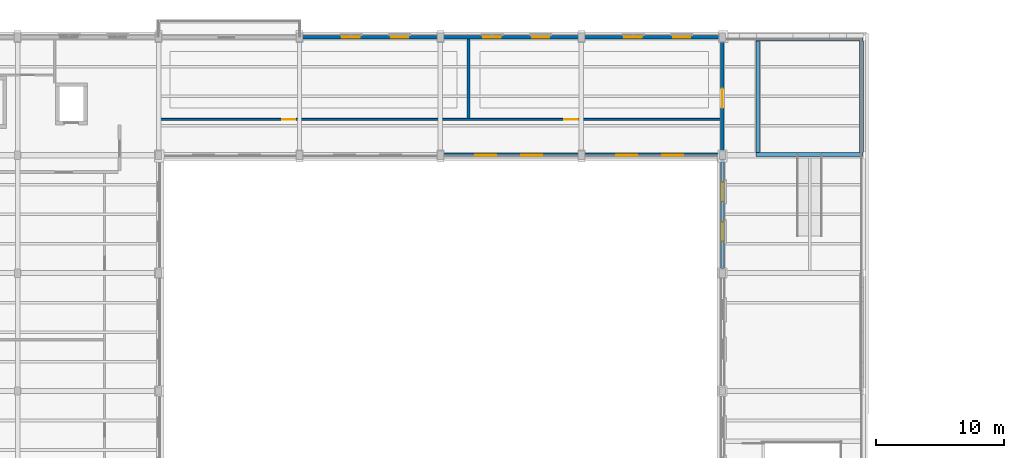
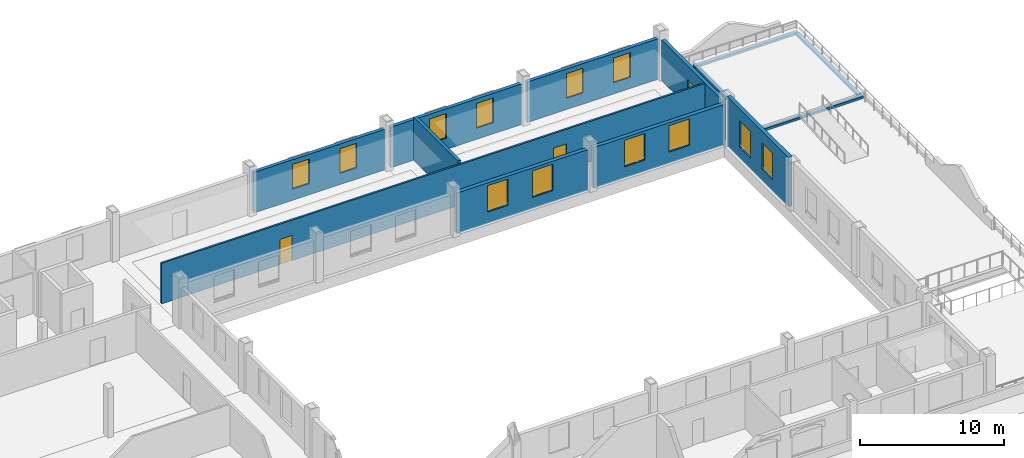
# One storey, part 27 of 43: 13 walls, 12 windows, 3 doors, 15 openings.
"""IFC4 building model written with IfcOpenShell, lengths in metres."""

import ifcopenshell
import ifcopenshell.guid

model = None  # the IFC model being written
_history = None  # IfcOwnerHistory: only IFC2X3 demands one
_inside = {}  # id of a spatial element -> (the spatial element, [elements in it])
_under = {}  # id of a project, library or spatial element -> (it, [spatial elements below it])
_declared = {}  # id of a project -> (the project, [libraries it declares])
_typed = {}  # id of a type object -> (the type object, [elements of that type])
_made_of = {}  # id of a material, layer set ... -> (it, [elements and type objects made of it])


def new_model(schema):
    """Start an empty IFC model of exactly this schema.

    Asked for "IFC4X3", IfcOpenShell would pick the latest addendum, in which some entities
    have other attributes; the version numbers below select the first issue.
    IFC2X3 requires an IfcOwnerHistory on every rooted entity: one is made here for all.
    """
    global model, _history
    if schema == "IFC4X3":
        model = ifcopenshell.file(schema_version=(4, 3, 0, 0))
    else:
        model = ifcopenshell.file(schema=schema)
    _inside.clear()
    _under.clear()
    _declared.clear()
    _typed.clear()
    _made_of.clear()
    _history = None
    if model.schema == "IFC2X3":
        org = make("IfcOrganization", Name="unknown")
        user = make(
            "IfcPersonAndOrganization",
            ThePerson=make("IfcPerson", FamilyName="unknown"),
            TheOrganization=org,
        )
        app = make(
            "IfcApplication",
            ApplicationDeveloper=org,
            Version="unknown",
            ApplicationFullName="unknown",
            ApplicationIdentifier="unknown",
        )
        _history = make(
            "IfcOwnerHistory",
            OwningUser=user,
            OwningApplication=app,
            ChangeAction="ADDED",
            CreationDate=0,
        )
    return model


def make(cls, **values):
    """One entity of the class cls with the attributes given. An attribute that is None is left unset."""
    return model.create_entity(
        cls, **{name: value for name, value in values.items() if value is not None}
    )


def rooted(cls, **values):
    """An entity with a GlobalId (a new one), such as an element, a storey or a relation."""
    return make(cls, GlobalId=ifcopenshell.guid.new(), OwnerHistory=_history, **values)


def si_unit(unit_type, name, prefix=None):
    """IfcSIUnit, for example si_unit("LENGTHUNIT", "METRE", prefix="MILLI")."""
    return make("IfcSIUnit", UnitType=unit_type, Prefix=prefix, Name=name)


def assignment(units):
    """IfcUnitAssignment: the units of a project."""
    return None if units is None else make("IfcUnitAssignment", Units=units)


def point(xyz):
    """IfcCartesianPoint."""
    return None if xyz is None else make("IfcCartesianPoint", Coordinates=xyz)


def direction(xyz):
    """IfcDirection."""
    return None if xyz is None else make("IfcDirection", DirectionRatios=xyz)


def frame(location, z_axis=None, x_axis=None):
    """IfcAxis2Placement3D, a coordinate frame: its origin and axes. An axis left out is left unset."""
    return make(
        "IfcAxis2Placement3D",
        Location=point(location),
        Axis=direction(z_axis),
        RefDirection=direction(x_axis),
    )


def frame_2d(location, x_axis=None):
    """IfcAxis2Placement2D, a coordinate frame in the plane: its origin and x axis."""
    return make(
        "IfcAxis2Placement2D", Location=point(location), RefDirection=direction(x_axis)
    )


def origin():
    """The frame at (0, 0, 0) with its axes left unset."""
    return frame((0.0, 0.0, 0.0))


def place(relative_to, where):
    """IfcLocalPlacement: puts the frame where relative to a parent placement (None: the world)."""
    return make(
        "IfcLocalPlacement", PlacementRelTo=relative_to, RelativePlacement=where
    )


def context(
    kind, dimensions, precision=None, world=None, true_north=None, identifier=None
):
    """IfcGeometricRepresentationContext, for example the 3D "Model" context."""
    return make(
        "IfcGeometricRepresentationContext",
        ContextIdentifier=identifier,
        ContextType=kind,
        CoordinateSpaceDimension=dimensions,
        Precision=precision,
        WorldCoordinateSystem=world,
        TrueNorth=true_north,
    )


def subcontext(parent, identifier, kind, view, scale=None):
    """IfcGeometricRepresentationSubContext, for example "Body" below "Model"."""
    return make(
        "IfcGeometricRepresentationSubContext",
        ContextIdentifier=identifier,
        ContextType=kind,
        ParentContext=parent,
        TargetScale=scale,
        TargetView=view,
    )


def project(units=None, contexts=None):
    """IfcProject with its units and contexts."""
    return rooted(
        "IfcProject",
        Name="project",
        RepresentationContexts=contexts,
        UnitsInContext=assignment(units),
    )


def spatial(cls, under=None, at=None, **own):
    """A site, building, storey or space (cls), placed at a placement, below another one or the project."""
    s = rooted(cls, ObjectPlacement=at, **own)
    if under is not None:
        _under.setdefault(under.id(), (under, []))[1].append(s)
    return s


def profile(cls, at=None, kind="AREA", **sizes):
    """A parametric profile (cls). Its sizes go by their IFC names, for example OverallWidth=200.0."""
    return make(cls, ProfileType=kind, Position=at, **sizes)


def rectangle(**sizes):
    """IfcRectangleProfileDef."""
    return profile("IfcRectangleProfileDef", **sizes)


def extrude(swept, where, along, depth):
    """IfcExtrudedAreaSolid: the profile swept, set in the frame where, extruded along a direction by depth."""
    return make(
        "IfcExtrudedAreaSolid",
        SweptArea=swept,
        Position=where,
        ExtrudedDirection=direction(along),
        Depth=depth,
    )


def shape(context_of_items, identifier, shape_type, items):
    """IfcShapeRepresentation: the items that make up one representation, for example the "Body"."""
    return make(
        "IfcShapeRepresentation",
        ContextOfItems=context_of_items,
        RepresentationIdentifier=identifier,
        RepresentationType=shape_type,
        Items=items,
    )


def material(Name=None, Category=None):
    """IfcMaterial."""
    return make("IfcMaterial", Name=Name, Category=Category)


def layer(
    of_material, thickness, ventilated=None, Name=None, Category=None, Priority=None
):
    """IfcMaterialLayer: one layer of a wall or slab, of a material (None: an air gap)."""
    return make(
        "IfcMaterialLayer",
        Material=of_material,
        LayerThickness=thickness,
        IsVentilated=ventilated,
        Name=Name,
        Category=Category,
        Priority=Priority,
    )


def layer_set(layers, Name=None):
    """IfcMaterialLayerSet."""
    return make("IfcMaterialLayerSet", MaterialLayers=layers, LayerSetName=Name)


def made_of(thing, what):
    """Note that an element or type object is made of a material, layer set ...; save() writes the relation."""
    if what is not None:
        _made_of.setdefault(what.id(), (what, []))[1].append(thing)
    return thing


def type_object(cls, material=None, **own):
    """A type object (cls), such as IfcWallType, which elements share."""
    return made_of(rooted(cls, **own), material)


def element(
    cls,
    number,
    at=None,
    inside=None,
    cuts=None,
    type_object=None,
    material=None,
    context=None,
    identifier="Body",
    shape_type=None,
    held_by="IfcProductDefinitionShape",
    body=None,
    shapes=None,
    **own,
):
    """One element of the class cls, such as IfcWall. Its Tag is "e" and its number.

    at: its placement. inside: the storey or other place that contains it. cuts: it is an
    opening in that element (IfcRelVoidsElement). A single representation is given by context,
    identifier, shape_type and body (its items); several are given by shapes. held_by: the class
    of the entity that holds the representations. save() writes the other relations.
    """
    e = rooted(cls, Tag="e%d" % number, ObjectPlacement=at, **own)
    if body is not None:
        shapes = [shape(context, identifier, shape_type, body)]
    if shapes is not None:
        e.Representation = make(held_by, Representations=shapes)
    if inside is not None:
        _inside.setdefault(inside.id(), (inside, []))[1].append(e)
    if cuts is not None:
        rooted(
            "IfcRelVoidsElement", RelatingBuildingElement=cuts, RelatedOpeningElement=e
        )
    if type_object is not None:
        _typed.setdefault(type_object.id(), (type_object, []))[1].append(e)
    return made_of(e, material)


def fill(opening, filler):
    """IfcRelFillsElement: the door or window that sits in an opening."""
    return rooted(
        "IfcRelFillsElement",
        RelatingOpeningElement=opening,
        RelatedBuildingElement=filler,
    )


def aggregate(whole, parts):
    """IfcRelAggregates: a whole, such as a stair, and the parts it consists of."""
    return rooted("IfcRelAggregates", RelatingObject=whole, RelatedObjects=parts)


def save(model, path):
    """Write the relations noted so far, then the file.

    IfcRelAggregates (storeys below a building ...), IfcRelContainedInSpatialStructure (elements
    in a storey), IfcRelDefinesByType, IfcRelAssociatesMaterial and IfcRelDeclares: one each for
    every whole, place, type object, material and project.
    """
    for whole, parts in _under.values():
        aggregate(whole, parts)
    for where, things in _inside.values():
        rooted(
            "IfcRelContainedInSpatialStructure",
            RelatedElements=things,
            RelatingStructure=where,
        )
    for kind, things in _typed.values():
        rooted("IfcRelDefinesByType", RelatedObjects=things, RelatingType=kind)
    for what, things in _made_of.values():
        rooted("IfcRelAssociatesMaterial", RelatedObjects=things, RelatingMaterial=what)
    for by, libraries in _declared.values():
        rooted("IfcRelDeclares", RelatingContext=by, RelatedDefinitions=libraries)
    model.write(path)


model = new_model("IFC4")

# Units and contexts
model_context = context("Model", 3, precision=1e-05, world=origin(), true_north=direction((0.0, 1.0)))
body_context = subcontext(model_context, "Body", "Model", "MODEL_VIEW")
ifc_project = project(units=[si_unit("LENGTHUNIT", "METRE"), si_unit("AREAUNIT", "SQUARE_METRE"), si_unit("VOLUMEUNIT", "CUBIC_METRE"), si_unit("PLANEANGLEUNIT", "RADIAN"), si_unit("MASSUNIT", "GRAM", prefix="KILO")], contexts=[model_context])

# Site, building, storey
site_placement = place(None, origin())
site = spatial("IfcSite", under=ifc_project, at=site_placement, CompositionType="ELEMENT")
building_placement = place(site_placement, origin())
building = spatial("IfcBuilding", under=site, at=building_placement, Name="Caurita Quay Ferry Terminal", CompositionType="ELEMENT")
storey_placement = place(building_placement, frame((0.0, 0.0, 14.10009765625)))
storey = spatial("IfcBuildingStorey", under=building, at=storey_placement, Name="L03", CompositionType="ELEMENT", Elevation=14.10009765625)

# Walls
ifc_material_1 = material(Name="Warm-white lime stucco masonry", Category="masonry")
ifc_layer_1 = layer(ifc_material_1, 0.239990234375, Name="Interior partitioning wall 240 mm")
ifc_layer_set_1 = layer_set([ifc_layer_1], Name="Warm-white lime stucco masonry")
wall_type_1 = type_object("IfcWallType", Name="WL-COMP-240", PredefinedType="PARTITIONING", material=ifc_layer_set_1)
wall_1_placement = place(storey_placement, frame((46.199951171875, 110.677490234375, 0.0), z_axis=(0.0, 0.0, 1.0), x_axis=(0.0, 1.0, 0.0)))
element("IfcWall", 1, at=wall_1_placement, inside=storey, type_object=wall_type_1, Name="L03 Interior Partition IW-L03-109", PredefinedType="PARTITIONING", context=body_context, shape_type="SweptSolid", body=[
    extrude(rectangle(XDim=6.177490234375, YDim=0.239990234375, at=frame_2d((3.0888671875, 0.0))), origin(), (0.0, 0.0, 1.0), 3.677734375),
])
ifc_material_2 = material(Name="Reinforced concrete C35/45", Category="concrete")
ifc_layer_2 = layer(ifc_material_2, 0.300048828125, Name="Reinforced concrete deck perimeter support curb wall 300 mm")
ifc_layer_set_2 = layer_set([ifc_layer_2], Name="Reinforced concrete C35/45")
wall_type_2 = type_object("IfcWallType", Name="WL-CURB-300", PredefinedType="STANDARD", material=ifc_layer_set_2)
for number, where, z_axis, x_axis, name in (
    (2, (68.60009765625, 107.85009765625, 0.0), (0.0, 0.0, 1.0), (1.0, 0.0, 0.0), "L03 Harbour Lookout Plinth Curb Wall S"),
    (3, (76.949951171875, 116.85009765625, 0.0), (0.0, 0.0, 1.0), (-1.0, 0.0, 0.0), "L03 Harbour Lookout Plinth Curb Wall N"),
):
    element("IfcWall", number, at=place(storey_placement, frame(where, z_axis=z_axis, x_axis=x_axis)), inside=storey, type_object=wall_type_2, Name=name, PredefinedType="STANDARD", context=body_context, shape_type="SweptSolid", body=[
        extrude(rectangle(XDim=8.349853515625, YDim=0.300048828125, at=frame_2d((4.1748046875, 0.0))), origin(), (0.0, 0.0, 1.0), 0.18994140625),
    ])
for number, where, z_axis, x_axis, name in (
    (4, (68.75, 116.699951171875, 0.0), (0.0, 0.0, 1.0), (0.0, -1.0, 0.0), "L03 Harbour Lookout Plinth Curb Wall W"),
    (5, (76.85009765625, 108.0, 0.0), (0.0, 0.0, 1.0), (0.0, 1.0, 0.0), "L03 Harbour Lookout Plinth Curb Wall E"),
):
    element("IfcWall", number, at=place(storey_placement, frame(where, z_axis=z_axis, x_axis=x_axis)), inside=storey, type_object=wall_type_2, Name=name, PredefinedType="STANDARD", context=body_context, shape_type="SweptSolid", body=[
        extrude(rectangle(XDim=8.699951171875, YDim=0.300048828125, at=frame_2d((4.35009765625, 0.0))), origin(), (0.0, 0.0, 1.0), 0.18994140625),
    ])

# Wall, openings, windows
ifc_layer_3 = layer(ifc_material_1, 0.280029296875, Name="Exterior solidwall wall 280 mm")
ifc_layer_set_3 = layer_set([ifc_layer_3], Name="Warm-white lime stucco masonry")
wall_type_3 = type_object("IfcWallType", Name="WL-EXT-280", PredefinedType="SOLIDWALL", material=ifc_layer_set_3)
wall_2_placement = place(storey_placement, frame((43.777099609375, 117.0, 0.0), z_axis=(0.0, 0.0, 1.0), x_axis=(-1.0, 0.0, 0.0)))
wall_2 = element("IfcWall", 6, at=wall_2_placement, inside=storey, type_object=wall_type_3, Name="L03 Exterior Wall EW-L03-027", PredefinedType="SOLIDWALL", context=body_context, shape_type="SweptSolid", body=[
    extrude(rectangle(XDim=10.55419921875, YDim=0.280029296875, at=frame_2d((5.277099609375, 0.0))), origin(), (0.0, 0.0, 1.0), 3.4462890625),
])
opening_1_placement = place(wall_2_placement, frame((2.277099609375, 0.0, 0.949951171875)))
opening_1 = element("IfcOpeningElement", 7, at=opening_1_placement, cuts=wall_2, Name="Opening W-05", PredefinedType="OPENING", context=body_context, shape_type="SweptSolid", body=[
    extrude(rectangle(XDim=1.35009765625, YDim=2.10009765625, at=frame_2d((0.675048828125, 1.050048828125))), frame((0.0, 0.14990234375, 0.0), z_axis=(0.0, -1.0, 0.0), x_axis=(1.0, 0.0, 0.0)), (0.0, 0.0, 1.0), 0.300048828125),
])
opening_2_placement = place(wall_2_placement, frame((6.076904296875, 0.0, 0.949951171875)))
opening_2 = element("IfcOpeningElement", 8, at=opening_2_placement, cuts=wall_2, Name="Opening W-05", PredefinedType="OPENING", context=body_context, shape_type="SweptSolid", body=[
    extrude(rectangle(XDim=1.35009765625, YDim=2.10009765625, at=frame_2d((0.675048828125, 1.050048828125))), frame((0.0, 0.14990234375, 0.0), z_axis=(0.0, -1.0, 0.0), x_axis=(1.0, 0.0, 0.0)), (0.0, 0.0, 1.0), 0.300048828125),
])
ifc_material_3 = material(Name="Laminated solar-control insulated glass", Category="glass")
window_type_1 = type_object("IfcWindowType", Name="WIN-SC-13521", PartitioningType="SINGLE_PANEL", PredefinedType="WINDOW", material=ifc_material_3)
window_1_placement = place(opening_1_placement, origin())
window_1 = element("IfcWindow", 9, at=window_1_placement, inside=storey, type_object=window_type_1, Name="L03 Casement Window WN-L03-037", OverallHeight=2.10009765625, OverallWidth=1.35009765625, PartitioningType="SINGLE_PANEL", PredefinedType="WINDOW", context=body_context, shape_type="SweptSolid", body=[
    extrude(rectangle(XDim=1.35009765625, YDim=2.10009765625, at=frame_2d((0.675048828125, 1.050048828125))), frame((0.0, 0.030029296875, 0.0), z_axis=(0.0, -1.0, 0.0), x_axis=(1.0, 0.0, 0.0)), (0.0, 0.0, 1.0), 0.06005859375),
])
fill(opening_1, window_1)
window_2_placement = place(opening_2_placement, origin())
window_2 = element("IfcWindow", 10, at=window_2_placement, inside=storey, type_object=window_type_1, Name="L03 Casement Window WN-L03-038", OverallHeight=2.10009765625, OverallWidth=1.35009765625, PartitioningType="SINGLE_PANEL", PredefinedType="WINDOW", context=body_context, shape_type="SweptSolid", body=[
    extrude(rectangle(XDim=1.35009765625, YDim=2.10009765625, at=frame_2d((0.675048828125, 1.050048828125))), frame((0.0, 0.030029296875, 0.0), z_axis=(0.0, -1.0, 0.0), x_axis=(1.0, 0.0, 0.0)), (0.0, 0.0, 1.0), 0.06005859375),
])
fill(opening_2, window_2)

wall_3_placement = place(storey_placement, frame((54.777099609375, 117.0, 0.0), z_axis=(0.0, 0.0, 1.0), x_axis=(-1.0, 0.0, 0.0)))
wall_3 = element("IfcWall", 11, at=wall_3_placement, inside=storey, type_object=wall_type_3, Name="L03 Exterior Wall EW-L03-028", PredefinedType="SOLIDWALL", context=body_context, shape_type="SweptSolid", body=[
    extrude(rectangle(XDim=10.55419921875, YDim=0.280029296875, at=frame_2d((5.277099609375, 0.0))), origin(), (0.0, 0.0, 1.0), 3.4462890625),
])
opening_3_placement = place(wall_3_placement, frame((2.277099609375, 0.0, 0.949951171875)))
opening_3 = element("IfcOpeningElement", 12, at=opening_3_placement, cuts=wall_3, Name="Opening W-05", PredefinedType="OPENING", context=body_context, shape_type="SweptSolid", body=[
    extrude(rectangle(XDim=1.35009765625, YDim=2.10009765625, at=frame_2d((0.675048828125, 1.050048828125))), frame((0.0, 0.14990234375, 0.0), z_axis=(0.0, -1.0, 0.0), x_axis=(1.0, 0.0, 0.0)), (0.0, 0.0, 1.0), 0.300048828125),
])
opening_4_placement = place(wall_3_placement, frame((6.076904296875, 0.0, 0.949951171875)))
opening_4 = element("IfcOpeningElement", 13, at=opening_4_placement, cuts=wall_3, Name="Opening W-05", PredefinedType="OPENING", context=body_context, shape_type="SweptSolid", body=[
    extrude(rectangle(XDim=1.35009765625, YDim=2.10009765625, at=frame_2d((0.675048828125, 1.050048828125))), frame((0.0, 0.14990234375, 0.0), z_axis=(0.0, -1.0, 0.0), x_axis=(1.0, 0.0, 0.0)), (0.0, 0.0, 1.0), 0.300048828125),
])
window_3_placement = place(opening_3_placement, origin())
window_3 = element("IfcWindow", 14, at=window_3_placement, inside=storey, type_object=window_type_1, Name="L03 Casement Window WN-L03-039", OverallHeight=2.10009765625, OverallWidth=1.35009765625, PartitioningType="SINGLE_PANEL", PredefinedType="WINDOW", context=body_context, shape_type="SweptSolid", body=[
    extrude(rectangle(XDim=1.35009765625, YDim=2.10009765625, at=frame_2d((0.675048828125, 1.050048828125))), frame((0.0, 0.030029296875, 0.0), z_axis=(0.0, -1.0, 0.0), x_axis=(1.0, 0.0, 0.0)), (0.0, 0.0, 1.0), 0.06005859375),
])
fill(opening_3, window_3)
window_4_placement = place(opening_4_placement, origin())
window_4 = element("IfcWindow", 15, at=window_4_placement, inside=storey, type_object=window_type_1, Name="L03 Casement Window WN-L03-040", OverallHeight=2.10009765625, OverallWidth=1.35009765625, PartitioningType="SINGLE_PANEL", PredefinedType="WINDOW", context=body_context, shape_type="SweptSolid", body=[
    extrude(rectangle(XDim=1.35009765625, YDim=2.10009765625, at=frame_2d((0.675048828125, 1.050048828125))), frame((0.0, 0.030029296875, 0.0), z_axis=(0.0, -1.0, 0.0), x_axis=(1.0, 0.0, 0.0)), (0.0, 0.0, 1.0), 0.06005859375),
])
fill(opening_4, window_4)

wall_4_placement = place(storey_placement, frame((65.777099609375, 117.0, 0.0), z_axis=(0.0, 0.0, 1.0), x_axis=(-1.0, 0.0, 0.0)))
wall_4 = element("IfcWall", 16, at=wall_4_placement, inside=storey, type_object=wall_type_3, Name="L03 Exterior Wall EW-L03-029", PredefinedType="SOLIDWALL", context=body_context, shape_type="SweptSolid", body=[
    extrude(rectangle(XDim=10.55419921875, YDim=0.280029296875, at=frame_2d((5.277099609375, 0.0))), origin(), (0.0, 0.0, 1.0), 3.4462890625),
])
opening_5_placement = place(wall_4_placement, frame((2.277099609375, 0.0, 0.949951171875)))
opening_5 = element("IfcOpeningElement", 17, at=opening_5_placement, cuts=wall_4, Name="Opening W-05", PredefinedType="OPENING", context=body_context, shape_type="SweptSolid", body=[
    extrude(rectangle(XDim=1.35009765625, YDim=2.10009765625, at=frame_2d((0.675048828125, 1.050048828125))), frame((0.0, 0.14990234375, 0.0), z_axis=(0.0, -1.0, 0.0), x_axis=(1.0, 0.0, 0.0)), (0.0, 0.0, 1.0), 0.300048828125),
])
opening_6_placement = place(wall_4_placement, frame((6.076904296875, 0.0, 0.949951171875)))
opening_6 = element("IfcOpeningElement", 18, at=opening_6_placement, cuts=wall_4, Name="Opening W-05", PredefinedType="OPENING", context=body_context, shape_type="SweptSolid", body=[
    extrude(rectangle(XDim=1.35009765625, YDim=2.10009765625, at=frame_2d((0.675048828125, 1.050048828125))), frame((0.0, 0.14990234375, 0.0), z_axis=(0.0, -1.0, 0.0), x_axis=(1.0, 0.0, 0.0)), (0.0, 0.0, 1.0), 0.300048828125),
])
window_5_placement = place(opening_5_placement, origin())
window_5 = element("IfcWindow", 19, at=window_5_placement, inside=storey, type_object=window_type_1, Name="L03 Casement Window WN-L03-041", OverallHeight=2.10009765625, OverallWidth=1.35009765625, PartitioningType="SINGLE_PANEL", PredefinedType="WINDOW", context=body_context, shape_type="SweptSolid", body=[
    extrude(rectangle(XDim=1.35009765625, YDim=2.10009765625, at=frame_2d((0.675048828125, 1.050048828125))), frame((0.0, 0.030029296875, 0.0), z_axis=(0.0, -1.0, 0.0), x_axis=(1.0, 0.0, 0.0)), (0.0, 0.0, 1.0), 0.06005859375),
])
fill(opening_5, window_5)
window_6_placement = place(opening_6_placement, origin())
window_6 = element("IfcWindow", 20, at=window_6_placement, inside=storey, type_object=window_type_1, Name="L03 Casement Window WN-L03-042", OverallHeight=2.10009765625, OverallWidth=1.35009765625, PartitioningType="SINGLE_PANEL", PredefinedType="WINDOW", context=body_context, shape_type="SweptSolid", body=[
    extrude(rectangle(XDim=1.35009765625, YDim=2.10009765625, at=frame_2d((0.675048828125, 1.050048828125))), frame((0.0, 0.030029296875, 0.0), z_axis=(0.0, -1.0, 0.0), x_axis=(1.0, 0.0, 0.0)), (0.0, 0.0, 1.0), 0.06005859375),
])
fill(opening_6, window_6)

# Wall, opening, door
wall_5_placement = place(storey_placement, frame((66.0, 108.123046875, 0.0), z_axis=(0.0, 0.0, 1.0), x_axis=(0.0, 1.0, 0.0)))
wall_5 = element("IfcWall", 21, at=wall_5_placement, inside=storey, type_object=wall_type_3, Name="L03 Exterior Wall EW-L03-099", PredefinedType="SOLIDWALL", context=body_context, shape_type="SweptSolid", body=[
    extrude(rectangle(XDim=8.553955078125, YDim=0.280029296875, at=frame_2d((4.27685546875, 0.0))), origin(), (0.0, 0.0, 1.0), 3.44921875),
])
opening_7_placement = place(wall_5_placement, frame((3.376953125, 0.0, 0.0)))
opening_7 = element("IfcOpeningElement", 22, at=opening_7_placement, cuts=wall_5, Name="Opening TD-02", PredefinedType="OPENING", context=body_context, shape_type="SweptSolid", body=[
    extrude(rectangle(XDim=1.5, YDim=2.25, at=frame_2d((0.75, 1.125))), frame((0.0, 0.14990234375, 0.0), z_axis=(0.0, -1.0, 0.0), x_axis=(1.0, 0.0, 0.0)), (0.0, 0.0, 1.0), 0.300048828125),
])
ifc_material_4 = material(Name="Anodized aluminium 6063-T6", Category="aluminium")
door_type_1 = type_object("IfcDoorType", Name="DR-TER-1522", OperationType="NOTDEFINED", PredefinedType="DOOR", material=ifc_material_4)
door_1_placement = place(opening_7_placement, frame((1.5, 0.0, 0.0), z_axis=(0.0, 0.0, 1.0), x_axis=(-1.0, 0.0, 0.0)))
door_1 = element("IfcDoor", 23, at=door_1_placement, inside=storey, type_object=door_type_1, Name="L03 Colonial Roof Terrace Door TD-L03", OperationType="SINGLE_SWING_RIGHT", OverallHeight=2.25, OverallWidth=1.5, PredefinedType="DOOR", context=body_context, shape_type="SweptSolid", body=[
    extrude(rectangle(XDim=1.5, YDim=2.25, at=frame_2d((0.75, 1.125))), frame((0.0, 0.02490234375, 0.0), z_axis=(0.0, -1.0, 0.0), x_axis=(1.0, 0.0, 0.0)), (0.0, 0.0, 1.0), 0.050048828125),
])
fill(opening_7, door_1)

# Wall, openings, windows
ifc_layer_4 = layer(ifc_material_1, 0.31005859375, Name="Exterior solidwall wall 310 mm")
ifc_layer_set_4 = layer_set([ifc_layer_4], Name="Warm-white lime stucco masonry")
wall_type_4 = type_object("IfcWallType", Name="WL-EXT-310", PredefinedType="SOLIDWALL", material=ifc_layer_set_4)
wall_6_placement = place(storey_placement, frame((44.222900390625, 107.800048828125, 0.0), z_axis=(0.0, 0.0, 1.0), x_axis=(1.0, 0.0, 0.0)))
wall_6 = element("IfcWall", 24, at=wall_6_placement, inside=storey, type_object=wall_type_4, Name="L03 Exterior Wall EW-L03-120", PredefinedType="SOLIDWALL", context=body_context, shape_type="SweptSolid", body=[
    extrude(rectangle(XDim=10.55419921875, YDim=0.31005859375, at=frame_2d((5.277099609375, 0.0))), origin(), (0.0, 0.0, 1.0), 3.4462890625),
])
opening_8_placement = place(wall_6_placement, frame((2.47705078125, 0.0, 0.949951171875)))
opening_8 = element("IfcOpeningElement", 25, at=opening_8_placement, cuts=wall_6, Name="Opening W-08", PredefinedType="OPENING", context=body_context, shape_type="SweptSolid", body=[
    extrude(rectangle(XDim=1.64990234375, YDim=2.25, at=frame_2d((0.824951171875, 1.125))), frame((0.0, 0.1650390625, 0.0), z_axis=(0.0, -1.0, 0.0), x_axis=(1.0, 0.0, 0.0)), (0.0, 0.0, 1.0), 0.330078125),
])
opening_9_placement = place(wall_6_placement, frame((6.076904296875, 0.0, 0.949951171875)))
opening_9 = element("IfcOpeningElement", 26, at=opening_9_placement, cuts=wall_6, Name="Opening W-08", PredefinedType="OPENING", context=body_context, shape_type="SweptSolid", body=[
    extrude(rectangle(XDim=1.64990234375, YDim=2.25, at=frame_2d((0.824951171875, 1.125))), frame((0.0, 0.1650390625, 0.0), z_axis=(0.0, -1.0, 0.0), x_axis=(1.0, 0.0, 0.0)), (0.0, 0.0, 1.0), 0.330078125),
])
window_type_2 = type_object("IfcWindowType", Name="WIN-SC-16522", PartitioningType="SINGLE_PANEL", PredefinedType="WINDOW", material=ifc_material_3)
window_7_placement = place(opening_8_placement, origin())
window_7 = element("IfcWindow", 27, at=window_7_placement, inside=storey, type_object=window_type_2, Name="L03 Casement Window WN-L03-179", OverallHeight=2.25, OverallWidth=1.64990234375, PartitioningType="SINGLE_PANEL", PredefinedType="WINDOW", context=body_context, shape_type="SweptSolid", body=[
    extrude(rectangle(XDim=1.64990234375, YDim=2.25, at=frame_2d((0.824951171875, 1.125))), frame((0.0, 0.030029296875, 0.0), z_axis=(0.0, -1.0, 0.0), x_axis=(1.0, 0.0, 0.0)), (0.0, 0.0, 1.0), 0.06005859375),
])
fill(opening_8, window_7)
window_8_placement = place(opening_9_placement, origin())
window_8 = element("IfcWindow", 28, at=window_8_placement, inside=storey, type_object=window_type_2, Name="L03 Casement Window WN-L03-180", OverallHeight=2.25, OverallWidth=1.64990234375, PartitioningType="SINGLE_PANEL", PredefinedType="WINDOW", context=body_context, shape_type="SweptSolid", body=[
    extrude(rectangle(XDim=1.64990234375, YDim=2.25, at=frame_2d((0.824951171875, 1.125))), frame((0.0, 0.030029296875, 0.0), z_axis=(0.0, -1.0, 0.0), x_axis=(1.0, 0.0, 0.0)), (0.0, 0.0, 1.0), 0.06005859375),
])
fill(opening_9, window_8)

wall_7_placement = place(storey_placement, frame((55.222900390625, 107.800048828125, 0.0), z_axis=(0.0, 0.0, 1.0), x_axis=(1.0, 0.0, 0.0)))
wall_7 = element("IfcWall", 29, at=wall_7_placement, inside=storey, type_object=wall_type_4, Name="L03 Exterior Wall EW-L03-121", PredefinedType="SOLIDWALL", context=body_context, shape_type="SweptSolid", body=[
    extrude(rectangle(XDim=10.55419921875, YDim=0.31005859375, at=frame_2d((5.277099609375, 0.0))), origin(), (0.0, 0.0, 1.0), 3.4462890625),
])
opening_10_placement = place(wall_7_placement, frame((2.47705078125, 0.0, 0.949951171875)))
opening_10 = element("IfcOpeningElement", 30, at=opening_10_placement, cuts=wall_7, Name="Opening W-08", PredefinedType="OPENING", context=body_context, shape_type="SweptSolid", body=[
    extrude(rectangle(XDim=1.64990234375, YDim=2.25, at=frame_2d((0.824951171875, 1.125))), frame((0.0, 0.1650390625, 0.0), z_axis=(0.0, -1.0, 0.0), x_axis=(1.0, 0.0, 0.0)), (0.0, 0.0, 1.0), 0.330078125),
])
opening_11_placement = place(wall_7_placement, frame((6.076904296875, 0.0, 0.949951171875)))
opening_11 = element("IfcOpeningElement", 31, at=opening_11_placement, cuts=wall_7, Name="Opening W-08", PredefinedType="OPENING", context=body_context, shape_type="SweptSolid", body=[
    extrude(rectangle(XDim=1.64990234375, YDim=2.25, at=frame_2d((0.824951171875, 1.125))), frame((0.0, 0.1650390625, 0.0), z_axis=(0.0, -1.0, 0.0), x_axis=(1.0, 0.0, 0.0)), (0.0, 0.0, 1.0), 0.330078125),
])
window_9_placement = place(opening_10_placement, origin())
window_9 = element("IfcWindow", 32, at=window_9_placement, inside=storey, type_object=window_type_2, Name="L03 Casement Window WN-L03-181", OverallHeight=2.25, OverallWidth=1.64990234375, PartitioningType="SINGLE_PANEL", PredefinedType="WINDOW", context=body_context, shape_type="SweptSolid", body=[
    extrude(rectangle(XDim=1.64990234375, YDim=2.25, at=frame_2d((0.824951171875, 1.125))), frame((0.0, 0.030029296875, 0.0), z_axis=(0.0, -1.0, 0.0), x_axis=(1.0, 0.0, 0.0)), (0.0, 0.0, 1.0), 0.06005859375),
])
fill(opening_10, window_9)
window_10_placement = place(opening_11_placement, origin())
window_10 = element("IfcWindow", 33, at=window_10_placement, inside=storey, type_object=window_type_2, Name="L03 Casement Window WN-L03-182", OverallHeight=2.25, OverallWidth=1.64990234375, PartitioningType="SINGLE_PANEL", PredefinedType="WINDOW", context=body_context, shape_type="SweptSolid", body=[
    extrude(rectangle(XDim=1.64990234375, YDim=2.25, at=frame_2d((0.824951171875, 1.125))), frame((0.0, 0.030029296875, 0.0), z_axis=(0.0, -1.0, 0.0), x_axis=(1.0, 0.0, 0.0)), (0.0, 0.0, 1.0), 0.06005859375),
])
fill(opening_11, window_10)

wall_8_placement = place(storey_placement, frame((66.0, 98.923095703125, 0.0), z_axis=(0.0, 0.0, 1.0), x_axis=(0.0, 1.0, 0.0)))
wall_8 = element("IfcWall", 34, at=wall_8_placement, inside=storey, type_object=wall_type_4, Name="L03 Exterior Wall EW-L03-145", PredefinedType="SOLIDWALL", context=body_context, shape_type="SweptSolid", body=[
    extrude(rectangle(XDim=8.553955078125, YDim=0.31005859375, at=frame_2d((4.27685546875, 0.0))), origin(), (0.0, 0.0, 1.0), 4.199951171875),
])
opening_12_placement = place(wall_8_placement, frame((2.177001953125, 0.0, 0.949951171875)))
opening_12 = element("IfcOpeningElement", 35, at=opening_12_placement, cuts=wall_8, Name="Opening W-07", PredefinedType="OPENING", context=body_context, shape_type="SweptSolid", body=[
    extrude(rectangle(XDim=1.5, YDim=2.25, at=frame_2d((0.75, 1.125))), frame((0.0, 0.1650390625, 0.0), z_axis=(0.0, -1.0, 0.0), x_axis=(1.0, 0.0, 0.0)), (0.0, 0.0, 1.0), 0.330078125),
])
opening_13_placement = place(wall_8_placement, frame((5.277099609375, 0.0, 0.949951171875)))
opening_13 = element("IfcOpeningElement", 36, at=opening_13_placement, cuts=wall_8, Name="Opening W-07", PredefinedType="OPENING", context=body_context, shape_type="SweptSolid", body=[
    extrude(rectangle(XDim=1.5, YDim=2.25, at=frame_2d((0.75, 1.125))), frame((0.0, 0.1650390625, 0.0), z_axis=(0.0, -1.0, 0.0), x_axis=(1.0, 0.0, 0.0)), (0.0, 0.0, 1.0), 0.330078125),
])
window_type_3 = type_object("IfcWindowType", Name="WIN-SC-1522", PartitioningType="SINGLE_PANEL", PredefinedType="WINDOW", material=ifc_material_3)
window_11_placement = place(opening_12_placement, origin())
window_11 = element("IfcWindow", 37, at=window_11_placement, inside=storey, type_object=window_type_3, Name="L03 Casement Window WN-L03-229", OverallHeight=2.25, OverallWidth=1.5, PartitioningType="SINGLE_PANEL", PredefinedType="WINDOW", context=body_context, shape_type="SweptSolid", body=[
    extrude(rectangle(XDim=1.5, YDim=2.25, at=frame_2d((0.75, 1.125))), frame((0.0, 0.030029296875, 0.0), z_axis=(0.0, -1.0, 0.0), x_axis=(1.0, 0.0, 0.0)), (0.0, 0.0, 1.0), 0.06005859375),
])
fill(opening_12, window_11)
window_12_placement = place(opening_13_placement, origin())
window_12 = element("IfcWindow", 38, at=window_12_placement, inside=storey, type_object=window_type_3, Name="L03 Casement Window WN-L03-230", OverallHeight=2.25, OverallWidth=1.5, PartitioningType="SINGLE_PANEL", PredefinedType="WINDOW", context=body_context, shape_type="SweptSolid", body=[
    extrude(rectangle(XDim=1.5, YDim=2.25, at=frame_2d((0.75, 1.125))), frame((0.0, 0.030029296875, 0.0), z_axis=(0.0, -1.0, 0.0), x_axis=(1.0, 0.0, 0.0)), (0.0, 0.0, 1.0), 0.06005859375),
])
fill(opening_13, window_12)

# Wall, openings, doors
ifc_material_5 = material(Name="Gypsum board partition", Category="masonry")
ifc_layer_5 = layer(ifc_material_5, 0.14501953125, Name="Interior partitioning wall 145 mm")
ifc_layer_set_5 = layer_set([ifc_layer_5], Name="Gypsum board partition")
wall_type_5 = type_object("IfcWallType", Name="WL-PART-145", PredefinedType="PARTITIONING", material=ifc_layer_set_5)
wall_9_placement = place(storey_placement, frame((22.159912109375, 110.60009765625, 0.0), z_axis=(0.0, 0.0, 1.0), x_axis=(1.0, 0.0, 0.0)))
wall_9 = element("IfcWall", 39, at=wall_9_placement, inside=storey, type_object=wall_type_5, Name="L03 Interior Partition IW-L03-108", PredefinedType="PARTITIONING", context=body_context, shape_type="SweptSolid", body=[
    extrude(rectangle(XDim=43.695068359375, YDim=0.14501953125, at=frame_2d((21.84765625, 0.0))), origin(), (0.0, 0.0, 1.0), 3.44921875),
])
opening_14_placement = place(wall_9_placement, frame((9.5, 0.0, 0.0)))
opening_14 = element("IfcOpeningElement", 40, at=opening_14_placement, cuts=wall_9, Name="Opening ID-05", PredefinedType="OPENING", context=body_context, shape_type="SweptSolid", body=[
    extrude(rectangle(XDim=1.0, YDim=2.14990234375, at=frame_2d((0.5, 1.074951171875))), frame((0.0, 0.08251953125, 0.0), z_axis=(0.0, -1.0, 0.0), x_axis=(1.0, 0.0, 0.0)), (0.0, 0.0, 1.0), 0.1650390625),
])
opening_15_placement = place(wall_9_placement, frame((31.5, 0.0, 0.0)))
opening_15 = element("IfcOpeningElement", 41, at=opening_15_placement, cuts=wall_9, Name="Opening ID-04", PredefinedType="OPENING", context=body_context, shape_type="SweptSolid", body=[
    extrude(rectangle(XDim=1.050048828125, YDim=2.199951171875, at=frame_2d((0.52490234375, 1.10009765625))), frame((0.0, 0.08251953125, 0.0), z_axis=(0.0, -1.0, 0.0), x_axis=(1.0, 0.0, 0.0)), (0.0, 0.0, 1.0), 0.1650390625),
])
ifc_material_6 = material(Name="Tropical mahogany hardwood", Category="wood")
door_type_2 = type_object("IfcDoorType", Name="DR-OFF-1000", OperationType="NOTDEFINED", PredefinedType="DOOR", material=ifc_material_6)
door_2_placement = place(opening_14_placement, frame((1.0, 0.0, 0.0), z_axis=(0.0, 0.0, 1.0), x_axis=(-1.0, 0.0, 0.0)))
door_2 = element("IfcDoor", 42, at=door_2_placement, inside=storey, type_object=door_type_2, Name="Ferry Crew Duty Lounge Door", OperationType="SINGLE_SWING_RIGHT", OverallHeight=2.14990234375, OverallWidth=1.0, PredefinedType="DOOR", context=body_context, shape_type="SweptSolid", body=[
    extrude(rectangle(XDim=1.0, YDim=2.14990234375, at=frame_2d((0.5, 1.074951171875))), frame((0.0, 0.02490234375, 0.0), z_axis=(0.0, -1.0, 0.0), x_axis=(1.0, 0.0, 0.0)), (0.0, 0.0, 1.0), 0.050048828125),
])
fill(opening_14, door_2)
door_type_3 = type_object("IfcDoorType", Name="DR-OFF-1050", OperationType="NOTDEFINED", PredefinedType="DOOR", material=ifc_material_6)
door_3_placement = place(opening_15_placement, origin())
door_3 = element("IfcDoor", 43, at=door_3_placement, inside=storey, type_object=door_type_3, Name="Marine Radar Telemetry Room Door", OperationType="SINGLE_SWING_LEFT", OverallHeight=2.199951171875, OverallWidth=1.050048828125, PredefinedType="DOOR", context=body_context, shape_type="SweptSolid", body=[
    extrude(rectangle(XDim=1.050048828125, YDim=2.199951171875, at=frame_2d((0.52490234375, 1.10009765625))), frame((0.0, 0.02490234375, 0.0), z_axis=(0.0, -1.0, 0.0), x_axis=(1.0, 0.0, 0.0)), (0.0, 0.0, 1.0), 0.050048828125),
])
fill(opening_15, door_3)

save(model, "model.ifc")
